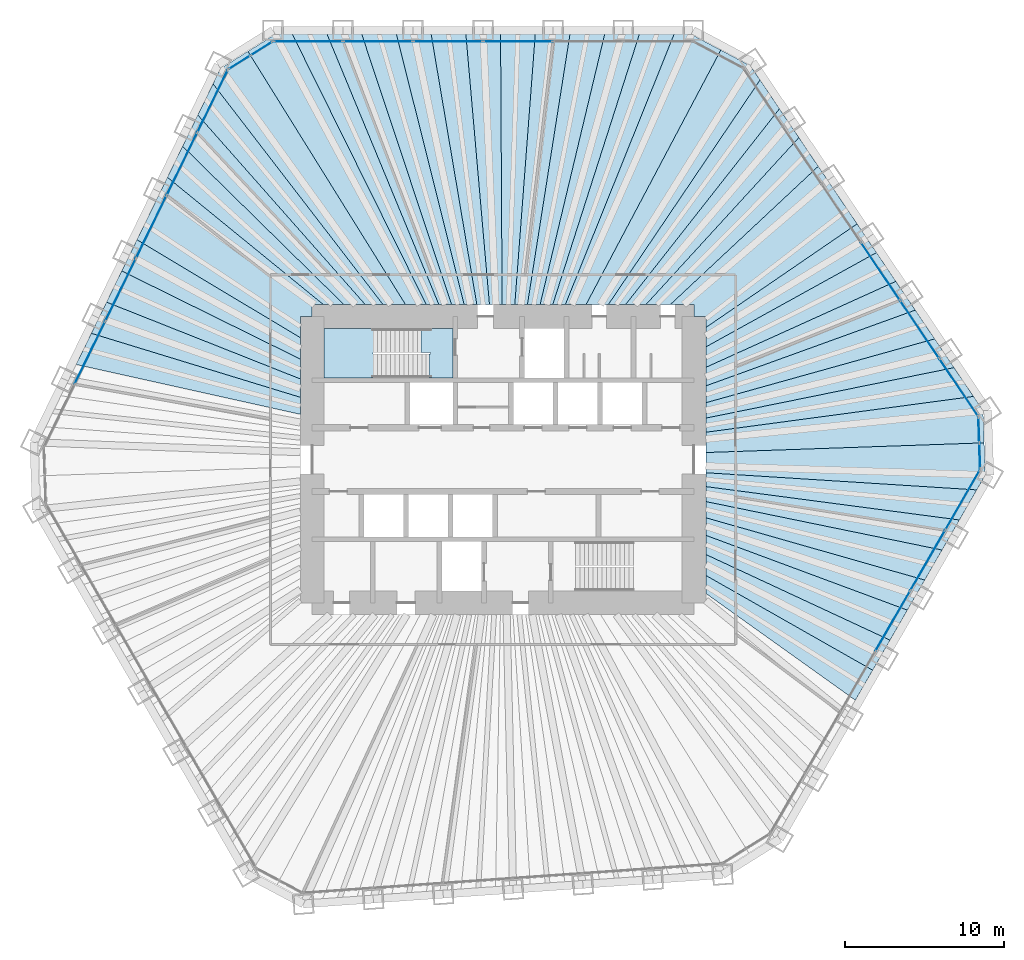
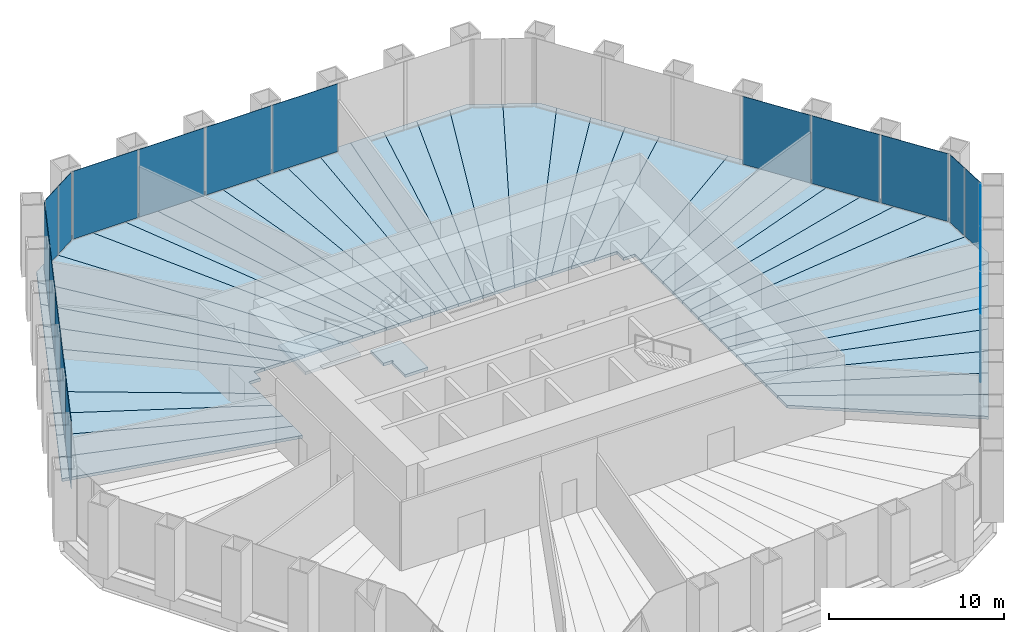
# One storey, part 9 of 13: 44 slabs, 19 plates, 7 elements without a shape of their own.
"""IFC4 building model written with IfcOpenShell, lengths in metres."""

from ifc_helpers import new_model, si_unit, direction, frame, origin, origin_2d, place, context, subcontext, project, spatial, polyline, rectangle, outline, extrude, material, layer, layer_set, type_object, element, aggregate, save


model = new_model("IFC4")

# Units and contexts
model_context = context("Model", 3, precision=1e-05, world=origin(), true_north=direction((0.0, 1.0)))
body_context = subcontext(model_context, "Body", "Model", "MODEL_VIEW")
ifc_project = project(units=[si_unit("LENGTHUNIT", "METRE"), si_unit("AREAUNIT", "SQUARE_METRE"), si_unit("VOLUMEUNIT", "CUBIC_METRE"), si_unit("PLANEANGLEUNIT", "RADIAN"), si_unit("MASSUNIT", "GRAM", prefix="KILO")], contexts=[model_context])

# Site, building, storey
site_placement = place(None, origin())
site = spatial("IfcSite", under=ifc_project, at=site_placement, CompositionType="ELEMENT")
building_placement = place(site_placement, origin())
building = spatial("IfcBuilding", under=site, at=building_placement, Name="Qingtian Harvest Tower", CompositionType="ELEMENT")
storey_placement = place(building_placement, frame((0.0, 0.0, 37.0)))
storey = spatial("IfcBuildingStorey", under=building, at=storey_placement, Name="L07", CompositionType="ELEMENT", Elevation=37.0)

# Slabs
ifc_material_1 = material(Name="Concrete fc' 35 MPa", Category="concrete")
ifc_layer_1 = layer(ifc_material_1, 0.199951171875)
ifc_layer_set_1 = layer_set([ifc_layer_1], Name="Composite floor slab FS20 200")
slab_type_1 = type_object("IfcSlabType", Name="Composite floor slab FS20 200", PredefinedType="FLOOR", material=ifc_layer_set_1)
slab_1_placement = place(storey_placement, frame((0.0, 0.0, -0.199951171875)))
element("IfcSlab", 1, at=slab_1_placement, inside=storey, type_object=slab_type_1, Name="Floor slab L07 panel D32", PredefinedType="FLOOR", context=body_context, shape_type="SweptSolid", body=[
    extrude(outline(polyline([(12.75, -7.279052734375), (23.247802734375, -13.243408203125), (22.159423828125, -15.128662109375), (12.75, -8.4091796875), (12.75, -7.279052734375)])), origin(), (0.0, 0.0, 1.0), 0.199951171875),
])
slab_2_placement = place(storey_placement, frame((0.0, 0.0, -0.199951171875)))
element("IfcSlab", 2, at=slab_2_placement, inside=storey, type_object=slab_type_1, Name="Floor slab L07 panel D33", PredefinedType="FLOOR", context=body_context, shape_type="SweptSolid", body=[
    extrude(outline(polyline([(12.75, -5.96142578125), (24.339111328125, -11.353515625), (23.247802734375, -13.243408203125), (12.75, -7.279052734375), (12.75, -5.96142578125)])), origin(), (0.0, 0.0, 1.0), 0.199951171875),
])
slab_3_placement = place(storey_placement, frame((0.0, 0.0, -0.199951171875)))
element("IfcSlab", 3, at=slab_3_placement, inside=storey, type_object=slab_type_1, Name="Floor slab L07 panel D34", PredefinedType="FLOOR", context=body_context, shape_type="SweptSolid", body=[
    extrude(outline(polyline([(12.75, -4.757080078125), (25.43017578125, -9.46337890625), (24.339111328125, -11.353515625), (12.75, -5.96142578125), (12.75, -4.757080078125)])), origin(), (0.0, 0.0, 1.0), 0.199951171875),
])
slab_4_placement = place(storey_placement, frame((0.0, 0.0, -0.199951171875)))
element("IfcSlab", 4, at=slab_4_placement, inside=storey, type_object=slab_type_1, Name="Floor slab L07 panel D35", PredefinedType="FLOOR", context=body_context, shape_type="SweptSolid", body=[
    extrude(outline(polyline([(12.75, -3.651611328125), (26.521484375, -7.573486328125), (25.43017578125, -9.46337890625), (12.75, -4.757080078125), (12.75, -3.651611328125)])), origin(), (0.0, 0.0, 1.0), 0.199951171875),
])
slab_5_placement = place(storey_placement, frame((0.0, 0.0, -0.199951171875)))
element("IfcSlab", 5, at=slab_5_placement, inside=storey, type_object=slab_type_1, Name="Floor slab L07 panel D36", PredefinedType="FLOOR", context=body_context, shape_type="SweptSolid", body=[
    extrude(outline(polyline([(12.75, -2.634033203125), (27.612548828125, -5.68359375), (26.521484375, -7.573486328125), (12.75, -3.651611328125), (12.75, -2.634033203125)])), origin(), (0.0, 0.0, 1.0), 0.199951171875),
])
slab_6_placement = place(storey_placement, frame((0.0, 0.0, -0.199951171875)))
element("IfcSlab", 6, at=slab_6_placement, inside=storey, type_object=slab_type_1, Name="Floor slab L07 panel D37", PredefinedType="FLOOR", context=body_context, shape_type="SweptSolid", body=[
    extrude(outline(polyline([(12.75, -1.693603515625), (28.703857421875, -3.793701171875), (27.612548828125, -5.68359375), (12.75, -2.634033203125), (12.75, -1.693603515625)])), origin(), (0.0, 0.0, 1.0), 0.199951171875),
])
slab_7_placement = place(storey_placement, frame((0.0, 0.0, -0.199951171875)))
element("IfcSlab", 7, at=slab_7_placement, inside=storey, type_object=slab_type_1, Name="Floor slab L07 panel D38", PredefinedType="FLOOR", context=body_context, shape_type="SweptSolid", body=[
    extrude(outline(polyline([(12.75, -0.822265625), (29.794921875, -1.903564453125), (28.703857421875, -3.793701171875), (12.75, -1.693603515625), (12.75, -0.822265625)])), origin(), (0.0, 0.0, 1.0), 0.199951171875),
])
slab_8_placement = place(storey_placement, frame((0.0, 0.0, -0.199951171875)))
element("IfcSlab", 8, at=slab_8_placement, inside=storey, type_object=slab_type_1, Name="Floor slab L07 panel D39", PredefinedType="FLOOR", context=body_context, shape_type="SweptSolid", body=[
    extrude(outline(polyline([(12.75, -0.822265625), (12.75, 0.447265625), (30.2587890625, 1.056640625), (30.32958984375, -0.9775390625), (29.794921875, -1.903564453125), (12.75, -0.822265625)])), origin(), (0.0, 0.0, 1.0), 0.199951171875),
])
slab_9_placement = place(storey_placement, frame((0.0, 0.0, -0.199951171875)))
element("IfcSlab", 9, at=slab_9_placement, inside=storey, type_object=slab_type_1, Name="Floor slab L07 panel D40", PredefinedType="FLOOR", context=body_context, shape_type="SweptSolid", body=[
    extrude(outline(polyline([(12.75, 0.447265625), (12.75, 1.72265625), (29.589599609375, 3.977294921875), (30.187744140625, 3.0908203125), (30.2587890625, 1.056640625), (12.75, 0.447265625)])), origin(), (0.0, 0.0, 1.0), 0.199951171875),
])
slab_10_placement = place(storey_placement, frame((0.0, 0.0, -0.199951171875)))
element("IfcSlab", 10, at=slab_10_placement, inside=storey, type_object=slab_type_1, Name="Floor slab L07 panel D41", PredefinedType="FLOOR", context=body_context, shape_type="SweptSolid", body=[
    extrude(outline(polyline([(12.75, 2.610595703125), (28.369140625, 5.78662109375), (29.589599609375, 3.977294921875), (12.75, 1.72265625), (12.75, 2.610595703125)])), origin(), (0.0, 0.0, 1.0), 0.199951171875),
])
slab_11_placement = place(storey_placement, frame((0.0, 0.0, -0.199951171875)))
element("IfcSlab", 11, at=slab_11_placement, inside=storey, type_object=slab_type_1, Name="Floor slab L07 panel D42", PredefinedType="FLOOR", context=body_context, shape_type="SweptSolid", body=[
    extrude(outline(polyline([(12.75, 3.57861328125), (27.14892578125, 7.595947265625), (28.369140625, 5.78662109375), (12.75, 2.610595703125), (12.75, 3.57861328125)])), origin(), (0.0, 0.0, 1.0), 0.199951171875),
])
slab_12_placement = place(storey_placement, frame((0.0, 0.0, -0.199951171875)))
element("IfcSlab", 12, at=slab_12_placement, inside=storey, type_object=slab_type_1, Name="Floor slab L07 panel D43", PredefinedType="FLOOR", context=body_context, shape_type="SweptSolid", body=[
    extrude(outline(polyline([(12.75, 4.6376953125), (25.928466796875, 9.405029296875), (27.14892578125, 7.595947265625), (12.75, 3.57861328125), (12.75, 4.6376953125)])), origin(), (0.0, 0.0, 1.0), 0.199951171875),
])
slab_13_placement = place(storey_placement, frame((0.0, 0.0, -0.199951171875)))
element("IfcSlab", 13, at=slab_13_placement, inside=storey, type_object=slab_type_1, Name="Floor slab L07 panel D44", PredefinedType="FLOOR", context=body_context, shape_type="SweptSolid", body=[
    extrude(outline(polyline([(12.75, 5.8017578125), (24.708251953125, 11.21435546875), (25.928466796875, 9.405029296875), (12.75, 4.6376953125), (12.75, 5.8017578125)])), origin(), (0.0, 0.0, 1.0), 0.199951171875),
])
slab_14_placement = place(storey_placement, frame((0.0, 0.0, -0.199951171875)))
element("IfcSlab", 14, at=slab_14_placement, inside=storey, type_object=slab_type_1, Name="Floor slab L07 panel D45", PredefinedType="FLOOR", context=body_context, shape_type="SweptSolid", body=[
    extrude(outline(polyline([(12.75, 7.087158203125), (23.48779296875, 13.023681640625), (24.708251953125, 11.21435546875), (12.75, 5.8017578125), (12.75, 7.087158203125)])), origin(), (0.0, 0.0, 1.0), 0.199951171875),
])
slab_15_placement = place(storey_placement, frame((0.0, 0.0, -0.199951171875)))
element("IfcSlab", 15, at=slab_15_placement, inside=storey, type_object=slab_type_1, Name="Floor slab L07 panel D46", PredefinedType="FLOOR", context=body_context, shape_type="SweptSolid", body=[
    extrude(outline(polyline([(12.75, 8.30615234375), (22.26953125, 14.829833984375), (23.48779296875, 13.023681640625), (12.75, 7.087158203125), (12.75, 8.30615234375)])), origin(), (0.0, 0.0, 1.0), 0.199951171875),
])
slab_16_placement = place(storey_placement, frame((0.0, 0.0, -0.199951171875)))
element("IfcSlab", 16, at=slab_16_placement, inside=storey, type_object=slab_type_1, Name="Floor slab L07 panel D48", PredefinedType="FLOOR", context=body_context, shape_type="SweptSolid", body=[
    extrude(outline(polyline([(19.8271484375, 18.45068359375), (22.26953125, 14.829833984375), (12.75, 8.30615234375), (12.75, 9.0), (12.0, 9.0), (12.0, 9.75), (10.51806640625, 9.75), (19.8271484375, 18.45068359375)])), origin(), (0.0, 0.0, 1.0), 0.199951171875),
])
slab_17_placement = place(storey_placement, frame((0.0, 0.0, -0.199951171875)))
element("IfcSlab", 17, at=slab_17_placement, inside=storey, type_object=slab_type_1, Name="Floor slab L07 panel D49", PredefinedType="FLOOR", context=body_context, shape_type="SweptSolid", body=[
    extrude(outline(polyline([(8.985107421875, 9.75), (18.60693359375, 20.260009765625), (19.8271484375, 18.45068359375), (10.51806640625, 9.75), (8.985107421875, 9.75)])), origin(), (0.0, 0.0, 1.0), 0.199951171875),
])
slab_18_placement = place(storey_placement, frame((0.0, 0.0, -0.199951171875)))
element("IfcSlab", 18, at=slab_18_placement, inside=storey, type_object=slab_type_1, Name="Floor slab L07 panel D50", PredefinedType="FLOOR", context=body_context, shape_type="SweptSolid", body=[
    extrude(outline(polyline([(7.705078125, 9.75), (17.386474609375, 22.0693359375), (18.60693359375, 20.260009765625), (8.985107421875, 9.75), (7.705078125, 9.75)])), origin(), (0.0, 0.0, 1.0), 0.199951171875),
])
slab_19_placement = place(storey_placement, frame((0.0, 0.0, -0.199951171875)))
element("IfcSlab", 19, at=slab_19_placement, inside=storey, type_object=slab_type_1, Name="Floor slab L07 panel D51", PredefinedType="FLOOR", context=body_context, shape_type="SweptSolid", body=[
    extrude(outline(polyline([(6.61962890625, 9.75), (16.166015625, 23.87841796875), (17.386474609375, 22.0693359375), (7.705078125, 9.75), (6.61962890625, 9.75)])), origin(), (0.0, 0.0, 1.0), 0.199951171875),
])
slab_20_placement = place(storey_placement, frame((0.0, 0.0, -0.199951171875)))
element("IfcSlab", 20, at=slab_20_placement, inside=storey, type_object=slab_type_1, Name="Floor slab L07 panel D52", PredefinedType="FLOOR", context=body_context, shape_type="SweptSolid", body=[
    extrude(outline(polyline([(6.61962890625, 9.75), (5.21875, 9.75), (13.697265625, 25.760009765625), (15.56787109375, 24.765380859375), (16.166015625, 23.87841796875), (6.61962890625, 9.75)])), origin(), (0.0, 0.0, 1.0), 0.199951171875),
])
slab_21_placement = place(storey_placement, frame((0.0, 0.0, -0.199951171875)))
element("IfcSlab", 21, at=slab_21_placement, inside=storey, type_object=slab_type_1, Name="Floor slab L07 panel D53", PredefinedType="FLOOR", context=body_context, shape_type="SweptSolid", body=[
    extrude(outline(polyline([(3.919921875, 9.75), (10.756591796875, 26.7548828125), (11.825927734375, 26.7548828125), (13.697265625, 25.760009765625), (5.21875, 9.75), (3.919921875, 9.75)])), origin(), (0.0, 0.0, 1.0), 0.199951171875),
])
slab_22_placement = place(storey_placement, frame((0.0, 0.0, -0.199951171875)))
element("IfcSlab", 22, at=slab_22_placement, inside=storey, type_object=slab_type_1, Name="Floor slab L07 panel D54", PredefinedType="FLOOR", context=body_context, shape_type="SweptSolid", body=[
    extrude(outline(polyline([(3.12451171875, 9.75), (8.57421875, 26.7548828125), (10.756591796875, 26.7548828125), (3.919921875, 9.75), (3.12451171875, 9.75)])), origin(), (0.0, 0.0, 1.0), 0.199951171875),
])
slab_23_placement = place(storey_placement, frame((0.0, 0.0, -0.199951171875)))
element("IfcSlab", 23, at=slab_23_placement, inside=storey, type_object=slab_type_1, Name="Floor slab L07 panel D55", PredefinedType="FLOOR", context=body_context, shape_type="SweptSolid", body=[
    extrude(outline(polyline([(2.329345703125, 9.75), (6.391845703125, 26.7548828125), (8.57421875, 26.7548828125), (3.12451171875, 9.75), (2.329345703125, 9.75)])), origin(), (0.0, 0.0, 1.0), 0.199951171875),
])
slab_24_placement = place(storey_placement, frame((0.0, 0.0, -0.199951171875)))
element("IfcSlab", 24, at=slab_24_placement, inside=storey, type_object=slab_type_1, Name="Floor slab L07 panel D56", PredefinedType="FLOOR", context=body_context, shape_type="SweptSolid", body=[
    extrude(outline(polyline([(1.533935546875, 9.75), (4.20947265625, 26.7548828125), (6.391845703125, 26.7548828125), (2.329345703125, 9.75), (1.533935546875, 9.75)])), origin(), (0.0, 0.0, 1.0), 0.199951171875),
])
slab_25_placement = place(storey_placement, frame((0.0, 0.0, -0.199951171875)))
element("IfcSlab", 25, at=slab_25_placement, inside=storey, type_object=slab_type_1, Name="Floor slab L07 panel D57", PredefinedType="FLOOR", context=body_context, shape_type="SweptSolid", body=[
    extrude(outline(polyline([(0.73876953125, 9.75), (2.02734375, 26.7548828125), (4.20947265625, 26.7548828125), (1.533935546875, 9.75), (0.73876953125, 9.75)])), origin(), (0.0, 0.0, 1.0), 0.199951171875),
])
slab_26_placement = place(storey_placement, frame((0.0, 0.0, -0.199951171875)))
element("IfcSlab", 26, at=slab_26_placement, inside=storey, type_object=slab_type_1, Name="Floor slab L07 panel D58", PredefinedType="FLOOR", context=body_context, shape_type="SweptSolid", body=[
    extrude(outline(polyline([(-0.056396484375, 9.75), (-0.155029296875, 26.7548828125), (2.02734375, 26.7548828125), (0.73876953125, 9.75), (-0.056396484375, 9.75)])), origin(), (0.0, 0.0, 1.0), 0.199951171875),
])
slab_27_placement = place(storey_placement, frame((0.0, 0.0, -0.199951171875)))
element("IfcSlab", 27, at=slab_27_placement, inside=storey, type_object=slab_type_1, Name="Floor slab L07 panel D59", PredefinedType="FLOOR", context=body_context, shape_type="SweptSolid", body=[
    extrude(outline(polyline([(-0.851806640625, 9.75), (-2.33740234375, 26.7548828125), (-0.155029296875, 26.7548828125), (-0.056396484375, 9.75), (-0.851806640625, 9.75)])), origin(), (0.0, 0.0, 1.0), 0.199951171875),
])
slab_28_placement = place(storey_placement, frame((0.0, 0.0, -0.199951171875)))
element("IfcSlab", 28, at=slab_28_placement, inside=storey, type_object=slab_type_1, Name="Floor slab L07 panel D60", PredefinedType="FLOOR", context=body_context, shape_type="SweptSolid", body=[
    extrude(outline(polyline([(-1.64697265625, 9.75), (-4.519775390625, 26.7548828125), (-2.33740234375, 26.7548828125), (-0.851806640625, 9.75), (-1.64697265625, 9.75)])), origin(), (0.0, 0.0, 1.0), 0.199951171875),
])
slab_29_placement = place(storey_placement, frame((0.0, 0.0, -0.199951171875)))
element("IfcSlab", 29, at=slab_29_placement, inside=storey, type_object=slab_type_1, Name="Floor slab L07 panel D61", PredefinedType="FLOOR", context=body_context, shape_type="SweptSolid", body=[
    extrude(outline(polyline([(-2.4423828125, 9.75), (-6.7021484375, 26.7548828125), (-4.519775390625, 26.7548828125), (-1.64697265625, 9.75), (-2.4423828125, 9.75)])), origin(), (0.0, 0.0, 1.0), 0.199951171875),
])
slab_30_placement = place(storey_placement, frame((0.0, 0.0, -0.199951171875)))
element("IfcSlab", 30, at=slab_30_placement, inside=storey, type_object=slab_type_1, Name="Floor slab L07 panel D62", PredefinedType="FLOOR", context=body_context, shape_type="SweptSolid", body=[
    extrude(outline(polyline([(-3.237548828125, 9.75), (-8.88427734375, 26.7548828125), (-6.7021484375, 26.7548828125), (-2.4423828125, 9.75), (-3.237548828125, 9.75)])), origin(), (0.0, 0.0, 1.0), 0.199951171875),
])
slab_31_placement = place(storey_placement, frame((0.0, 0.0, -0.199951171875)))
element("IfcSlab", 31, at=slab_31_placement, inside=storey, type_object=slab_type_1, Name="Floor slab L07 panel D63", PredefinedType="FLOOR", context=body_context, shape_type="SweptSolid", body=[
    extrude(outline(polyline([(-4.032958984375, 9.75), (-11.066650390625, 26.7548828125), (-8.88427734375, 26.7548828125), (-3.237548828125, 9.75), (-4.032958984375, 9.75)])), origin(), (0.0, 0.0, 1.0), 0.199951171875),
])
slab_32_placement = place(storey_placement, frame((0.0, 0.0, -0.199951171875)))
element("IfcSlab", 32, at=slab_32_placement, inside=storey, type_object=slab_type_1, Name="Floor slab L07 panel D64", PredefinedType="FLOOR", context=body_context, shape_type="SweptSolid", body=[
    extrude(outline(polyline([(-4.828125, 9.75), (-13.2490234375, 26.7548828125), (-11.066650390625, 26.7548828125), (-4.032958984375, 9.75), (-4.828125, 9.75)])), origin(), (0.0, 0.0, 1.0), 0.199951171875),
])
slab_33_placement = place(storey_placement, frame((0.0, 0.0, -0.199951171875)))
element("IfcSlab", 33, at=slab_33_placement, inside=storey, type_object=slab_type_1, Name="Floor slab L07 panel D65", PredefinedType="FLOOR", context=body_context, shape_type="SweptSolid", body=[
    extrude(outline(polyline([(-4.828125, 9.75), (-6.130126953125, 9.75), (-16.044921875, 25.67626953125), (-14.318359375, 26.7548828125), (-13.2490234375, 26.7548828125), (-4.828125, 9.75)])), origin(), (0.0, 0.0, 1.0), 0.199951171875),
])
slab_34_placement = place(storey_placement, frame((0.0, 0.0, -0.199951171875)))
element("IfcSlab", 34, at=slab_34_placement, inside=storey, type_object=slab_type_1, Name="Floor slab L07 panel D66", PredefinedType="FLOOR", context=body_context, shape_type="SweptSolid", body=[
    extrude(outline(polyline([(-6.130126953125, 9.75), (-7.544677734375, 9.75), (-18.239501953125, 23.636474609375), (-17.7705078125, 24.597900390625), (-16.044921875, 25.67626953125), (-6.130126953125, 9.75)])), origin(), (0.0, 0.0, 1.0), 0.199951171875),
])
slab_35_placement = place(storey_placement, frame((0.0, 0.0, -0.199951171875)))
element("IfcSlab", 35, at=slab_35_placement, inside=storey, type_object=slab_type_1, Name="Floor slab L07 panel D67", PredefinedType="FLOOR", context=body_context, shape_type="SweptSolid", body=[
    extrude(outline(polyline([(-8.662109375, 9.75), (-19.196044921875, 21.675048828125), (-18.239501953125, 23.636474609375), (-7.544677734375, 9.75), (-8.662109375, 9.75)])), origin(), (0.0, 0.0, 1.0), 0.199951171875),
])
slab_36_placement = place(storey_placement, frame((0.0, 0.0, -0.199951171875)))
element("IfcSlab", 36, at=slab_36_placement, inside=storey, type_object=slab_type_1, Name="Floor slab L07 panel D68", PredefinedType="FLOOR", context=body_context, shape_type="SweptSolid", body=[
    extrude(outline(polyline([(-10.00341796875, 9.75), (-20.15283203125, 19.71337890625), (-19.196044921875, 21.675048828125), (-8.662109375, 9.75), (-10.00341796875, 9.75)])), origin(), (0.0, 0.0, 1.0), 0.199951171875),
])
slab_37_placement = place(storey_placement, frame((0.0, 0.0, -0.199951171875)))
element("IfcSlab", 37, at=slab_37_placement, inside=storey, type_object=slab_type_1, Name="Floor slab L07 panel D69", PredefinedType="FLOOR", context=body_context, shape_type="SweptSolid", body=[
    extrude(outline(polyline([(-11.2939453125, 9.75), (-21.107666015625, 17.755859375), (-20.15283203125, 19.71337890625), (-10.00341796875, 9.75), (-11.2939453125, 9.75)])), origin(), (0.0, 0.0, 1.0), 0.199951171875),
])
slab_38_placement = place(storey_placement, frame((0.0, 0.0, -0.199951171875)))
element("IfcSlab", 38, at=slab_38_placement, inside=storey, type_object=slab_type_1, Name="Floor slab L07 panel D70", PredefinedType="FLOOR", context=body_context, shape_type="SweptSolid", body=[
    extrude(outline(polyline([(-12.0, 9.0), (-12.75, 9.0), (-12.75, 7.67333984375), (-23.0224609375, 13.82958984375), (-21.107666015625, 17.755859375), (-11.2939453125, 9.75), (-12.0, 9.75), (-12.0, 9.0)])), origin(), (0.0, 0.0, 1.0), 0.199951171875),
])
slab_39_placement = place(storey_placement, frame((0.0, 0.0, -0.199951171875)))
element("IfcSlab", 39, at=slab_39_placement, inside=storey, type_object=slab_type_1, Name="Floor slab L07 panel D72", PredefinedType="FLOOR", context=body_context, shape_type="SweptSolid", body=[
    extrude(outline(polyline([(-12.75, 6.3232421875), (-23.979248046875, 11.8681640625), (-23.0224609375, 13.82958984375), (-12.75, 7.67333984375), (-12.75, 6.3232421875)])), origin(), (0.0, 0.0, 1.0), 0.199951171875),
])
slab_40_placement = place(storey_placement, frame((0.0, 0.0, -0.199951171875)))
element("IfcSlab", 40, at=slab_40_placement, inside=storey, type_object=slab_type_1, Name="Floor slab L07 panel D73", PredefinedType="FLOOR", context=body_context, shape_type="SweptSolid", body=[
    extrude(outline(polyline([(-12.75, 5.076904296875), (-24.935791015625, 9.90673828125), (-23.979248046875, 11.8681640625), (-12.75, 6.3232421875), (-12.75, 5.076904296875)])), origin(), (0.0, 0.0, 1.0), 0.199951171875),
])
slab_41_placement = place(storey_placement, frame((0.0, 0.0, -0.199951171875)))
element("IfcSlab", 41, at=slab_41_placement, inside=storey, type_object=slab_type_1, Name="Floor slab L07 panel D74", PredefinedType="FLOOR", context=body_context, shape_type="SweptSolid", body=[
    extrude(outline(polyline([(-12.75, 3.922607421875), (-25.892578125, 7.9453125), (-24.935791015625, 9.90673828125), (-12.75, 5.076904296875), (-12.75, 3.922607421875)])), origin(), (0.0, 0.0, 1.0), 0.199951171875),
])
slab_42_placement = place(storey_placement, frame((0.0, 0.0, -0.199951171875)))
element("IfcSlab", 42, at=slab_42_placement, inside=storey, type_object=slab_type_1, Name="Floor slab L07 panel D75", PredefinedType="FLOOR", context=body_context, shape_type="SweptSolid", body=[
    extrude(outline(polyline([(-12.75, 2.8505859375), (-26.84912109375, 5.98388671875), (-25.892578125, 7.9453125), (-12.75, 3.922607421875), (-12.75, 2.8505859375)])), origin(), (0.0, 0.0, 1.0), 0.199951171875),
])

# Curtain wall, plates
ifc_material_2 = material(Name="Bronze-anodised aluminium curtain wall", Category="aluminium")
curtain_wall_type = type_object("IfcCurtainWallType", Name="Curtain wall CW2 farm reception", PredefinedType="USERDEFINED", material=ifc_material_2)
curtain_wall_1_placement = place(storey_placement, origin())
curtain_wall_1 = element("IfcCurtainWall", 43, at=curtain_wall_1_placement, inside=storey, type_object=curtain_wall_type, Name="Curtain wall CW2 L07 N0-5", ObjectType="RECESSED CURTAIN WALL", PredefinedType="USERDEFINED")
ifc_material_3 = material(Name="Bronze-tinted laminated insulating glass", Category="glass")
ifc_layer_2 = layer(ifc_material_3, 0.030029296875)
ifc_layer_set_2 = layer_set([ifc_layer_2], Name="Glazed panel CWP tinted IGU")
plate_type = type_object("IfcPlateType", Name="Glazed panel CWP tinted IGU", PredefinedType="CURTAIN_PANEL", material=ifc_layer_set_2)
plate_1_placement = place(storey_placement, frame((-12.2529296875, 26.300048828125, 0.06494140625), z_axis=(0.0, 0.0, 1.0), x_axis=(1.0, 0.0, 0.0)))
plate_1 = element("IfcPlate", 44, at=plate_1_placement, type_object=plate_type, Name="CW2 panel 1.1", PredefinedType="CURTAIN_PANEL", context=body_context, shape_type="SweptSolid", body=[
    extrude(rectangle(XDim=4.30712890625, YDim=0.030029296875, at=origin_2d()), origin(), (0.0, 0.0, 1.0), 4.735107421875),
])
plate_2_placement = place(storey_placement, frame((-7.864501953125, 26.300048828125, 0.06494140625), z_axis=(0.0, 0.0, 1.0), x_axis=(1.0, 0.0, 0.0)))
plate_2 = element("IfcPlate", 45, at=plate_2_placement, type_object=plate_type, Name="CW2 panel 2.1", PredefinedType="CURTAIN_PANEL", context=body_context, shape_type="SweptSolid", body=[
    extrude(rectangle(XDim=4.339599609375, YDim=0.030029296875, at=origin_2d()), origin(), (0.0, 0.0, 1.0), 4.735107421875),
])
plate_3_placement = place(storey_placement, frame((-3.4599609375, 26.300048828125, 0.06494140625), z_axis=(0.0, 0.0, 1.0), x_axis=(1.0, 0.0, 0.0)))
plate_3 = element("IfcPlate", 46, at=plate_3_placement, type_object=plate_type, Name="CW2 panel 3.1", PredefinedType="CURTAIN_PANEL", context=body_context, shape_type="SweptSolid", body=[
    extrude(rectangle(XDim=4.339599609375, YDim=0.030029296875, at=origin_2d()), origin(), (0.0, 0.0, 1.0), 4.735107421875),
])
plate_4_placement = place(storey_placement, frame((0.944580078125, 26.300048828125, 0.06494140625), z_axis=(0.0, 0.0, 1.0), x_axis=(1.0, 0.0, 0.0)))
plate_4 = element("IfcPlate", 47, at=plate_4_placement, type_object=plate_type, Name="CW2 panel 4.1", PredefinedType="CURTAIN_PANEL", context=body_context, shape_type="SweptSolid", body=[
    extrude(rectangle(XDim=4.339599609375, YDim=0.030029296875, at=origin_2d()), origin(), (0.0, 0.0, 1.0), 4.735107421875),
])
aggregate(curtain_wall_1, [plate_1, plate_2, plate_3, plate_4])

curtain_wall_2_placement = place(storey_placement, origin())
curtain_wall_2 = element("IfcCurtainWall", 48, at=curtain_wall_2_placement, inside=storey, type_object=curtain_wall_type, Name="Curtain wall CW2 L07 NE0-5", ObjectType="RECESSED CURTAIN WALL", PredefinedType="USERDEFINED")
plate_5_placement = place(storey_placement, frame((23.738525390625, 11.83837890625, 0.06494140625), z_axis=(0.0, 0.0, 1.0), x_axis=(0.559192903471, -0.829037572555, 0.0)))
plate_5 = element("IfcPlate", 49, at=plate_5_placement, type_object=plate_type, Name="CW2 panel 4.1", PredefinedType="CURTAIN_PANEL", context=body_context, shape_type="SweptSolid", body=[
    extrude(rectangle(XDim=4.339599609375, YDim=0.030029296875, at=origin_2d()), origin(), (0.0, 0.0, 1.0), 4.735107421875),
])
plate_6_placement = place(storey_placement, frame((26.201416015625, 8.186767578125, 0.06494140625), z_axis=(0.0, 0.0, 1.0), x_axis=(0.559192903471, -0.829037572555, 0.0)))
plate_6 = element("IfcPlate", 50, at=plate_6_placement, type_object=plate_type, Name="CW2 panel 5.1", PredefinedType="CURTAIN_PANEL", context=body_context, shape_type="SweptSolid", body=[
    extrude(rectangle(XDim=4.339599609375, YDim=0.030029296875, at=origin_2d()), origin(), (0.0, 0.0, 1.0), 4.735107421875),
])
plate_7_placement = place(storey_placement, frame((28.655517578125, 4.548583984375, 0.06494140625), z_axis=(0.0, 0.0, 1.0), x_axis=(0.559192903471, -0.829037572555, 0.0)))
plate_7 = element("IfcPlate", 51, at=plate_7_placement, type_object=plate_type, Name="CW2 panel 6.1", PredefinedType="CURTAIN_PANEL", context=body_context, shape_type="SweptSolid", body=[
    extrude(rectangle(XDim=4.30712890625, YDim=0.030029296875, at=origin_2d()), origin(), (0.0, 0.0, 1.0), 4.735107421875),
])
aggregate(curtain_wall_2, [plate_5, plate_6, plate_7])

curtain_wall_3_placement = place(storey_placement, origin())
curtain_wall_3 = element("IfcCurtainWall", 52, at=curtain_wall_3_placement, inside=storey, type_object=curtain_wall_type, Name="Curtain wall CW2 L07 NEC", ObjectType="RECESSED CURTAIN WALL", PredefinedType="USERDEFINED")
plate_8_placement = place(storey_placement, frame((29.925537109375, 1.861572265625, 0.06494140625), z_axis=(0.0, 0.0, 1.0), x_axis=(0.034899496703, -0.999390827019, 0.0)))
plate_8 = element("IfcPlate", 53, at=plate_8_placement, type_object=plate_type, Name="CW2 panel 1.1", PredefinedType="CURTAIN_PANEL", context=body_context, shape_type="SweptSolid", body=[
    extrude(rectangle(XDim=1.56689453125, YDim=0.030029296875, at=origin_2d()), origin(), (0.0, 0.0, 1.0), 4.735107421875),
])
plate_9_placement = place(storey_placement, frame((29.982666015625, 0.23046875, 0.06494140625), z_axis=(0.0, 0.0, 1.0), x_axis=(0.034899496703, -0.999390827019, 0.0)))
plate_9 = element("IfcPlate", 54, at=plate_9_placement, type_object=plate_type, Name="CW2 panel 2.1", PredefinedType="CURTAIN_PANEL", context=body_context, shape_type="SweptSolid", body=[
    extrude(rectangle(XDim=1.56689453125, YDim=0.030029296875, at=origin_2d()), origin(), (0.0, 0.0, 1.0), 4.735107421875),
])
aggregate(curtain_wall_3, [plate_8, plate_9])

curtain_wall_4_placement = place(storey_placement, origin())
curtain_wall_4 = element("IfcCurtainWall", 55, at=curtain_wall_4_placement, inside=storey, type_object=curtain_wall_type, Name="Curtain wall CW2 L07 SE0-5", ObjectType="RECESSED CURTAIN WALL", PredefinedType="USERDEFINED")
plate_10_placement = place(storey_placement, frame((28.90283203125, -2.53857421875, 0.06494140625), z_axis=(0.0, 0.0, 1.0), x_axis=(-0.5, -0.866025403784, 0.0)))
plate_10 = element("IfcPlate", 56, at=plate_10_placement, type_object=plate_type, Name="CW2 panel 1.1", PredefinedType="CURTAIN_PANEL", context=body_context, shape_type="SweptSolid", body=[
    extrude(rectangle(XDim=4.30712890625, YDim=0.030029296875, at=origin_2d()), origin(), (0.0, 0.0, 1.0), 4.735107421875),
])
plate_11_placement = place(storey_placement, frame((26.708740234375, -6.339111328125, 0.06494140625), z_axis=(0.0, 0.0, 1.0), x_axis=(-0.5, -0.866025403784, 0.0)))
plate_11 = element("IfcPlate", 57, at=plate_11_placement, type_object=plate_type, Name="CW2 panel 2.1", PredefinedType="CURTAIN_PANEL", context=body_context, shape_type="SweptSolid", body=[
    extrude(rectangle(XDim=4.339599609375, YDim=0.030029296875, at=origin_2d()), origin(), (0.0, 0.0, 1.0), 4.735107421875),
])
plate_12_placement = place(storey_placement, frame((24.50634765625, -10.153564453125, 0.06494140625), z_axis=(0.0, 0.0, 1.0), x_axis=(-0.5, -0.866025403784, 0.0)))
plate_12 = element("IfcPlate", 58, at=plate_12_placement, type_object=plate_type, Name="CW2 panel 3.1", PredefinedType="CURTAIN_PANEL", context=body_context, shape_type="SweptSolid", body=[
    extrude(rectangle(XDim=4.339599609375, YDim=0.030029296875, at=origin_2d()), origin(), (0.0, 0.0, 1.0), 4.735107421875),
])
aggregate(curtain_wall_4, [plate_10, plate_11, plate_12])

curtain_wall_5_placement = place(storey_placement, origin())
curtain_wall_5 = element("IfcCurtainWall", 59, at=curtain_wall_5_placement, inside=storey, type_object=curtain_wall_type, Name="Curtain wall CW2 L07 NW0-5", ObjectType="RECESSED CURTAIN WALL", PredefinedType="USERDEFINED")
plate_13_placement = place(storey_placement, frame((-25.983154296875, 6.72119140625, 0.06494140625), z_axis=(0.0, 0.0, 1.0), x_axis=(0.438371146789, 0.898794046299, 0.0)))
plate_13 = element("IfcPlate", 60, at=plate_13_placement, type_object=plate_type, Name="CW2 panel 2.1", PredefinedType="CURTAIN_PANEL", context=body_context, shape_type="SweptSolid", body=[
    extrude(rectangle(XDim=4.339599609375, YDim=0.030029296875, at=origin_2d()), origin(), (0.0, 0.0, 1.0), 4.735107421875),
])
plate_14_placement = place(storey_placement, frame((-24.052490234375, 10.68017578125, 0.06494140625), z_axis=(0.0, 0.0, 1.0), x_axis=(0.438371146789, 0.898794046299, 0.0)))
plate_14 = element("IfcPlate", 61, at=plate_14_placement, type_object=plate_type, Name="CW2 panel 3.1", PredefinedType="CURTAIN_PANEL", context=body_context, shape_type="SweptSolid", body=[
    extrude(rectangle(XDim=4.339599609375, YDim=0.030029296875, at=origin_2d()), origin(), (0.0, 0.0, 1.0), 4.735107421875),
])
plate_15_placement = place(storey_placement, frame((-22.12158203125, 14.638916015625, 0.06494140625), z_axis=(0.0, 0.0, 1.0), x_axis=(0.438371146789, 0.898794046299, 0.0)))
plate_15 = element("IfcPlate", 62, at=plate_15_placement, type_object=plate_type, Name="CW2 panel 4.1", PredefinedType="CURTAIN_PANEL", context=body_context, shape_type="SweptSolid", body=[
    extrude(rectangle(XDim=4.339599609375, YDim=0.030029296875, at=origin_2d()), origin(), (0.0, 0.0, 1.0), 4.735107421875),
])
plate_16_placement = place(storey_placement, frame((-20.190673828125, 18.597900390625, 0.06494140625), z_axis=(0.0, 0.0, 1.0), x_axis=(0.438371146789, 0.898794046299, 0.0)))
plate_16 = element("IfcPlate", 63, at=plate_16_placement, type_object=plate_type, Name="CW2 panel 5.1", PredefinedType="CURTAIN_PANEL", context=body_context, shape_type="SweptSolid", body=[
    extrude(rectangle(XDim=4.339599609375, YDim=0.030029296875, at=origin_2d()), origin(), (0.0, 0.0, 1.0), 4.735107421875),
])
plate_17_placement = place(storey_placement, frame((-18.266845703125, 22.5419921875, 0.06494140625), z_axis=(0.0, 0.0, 1.0), x_axis=(0.438371146789, 0.898794046299, 0.0)))
plate_17 = element("IfcPlate", 64, at=plate_17_placement, type_object=plate_type, Name="CW2 panel 6.1", PredefinedType="CURTAIN_PANEL", context=body_context, shape_type="SweptSolid", body=[
    extrude(rectangle(XDim=4.30712890625, YDim=0.030029296875, at=origin_2d()), origin(), (0.0, 0.0, 1.0), 4.735107421875),
])
aggregate(curtain_wall_5, [plate_13, plate_14, plate_15, plate_16, plate_17])

curtain_wall_6_placement = place(storey_placement, origin())
curtain_wall_6 = element("IfcCurtainWall", 65, at=curtain_wall_6_placement, inside=storey, type_object=curtain_wall_type, Name="Curtain wall CW2 L07 NWC", ObjectType="RECESSED CURTAIN WALL", PredefinedType="USERDEFINED")
plate_18_placement = place(storey_placement, frame((-16.574951171875, 24.985595703125, 0.06494140625), z_axis=(0.0, 0.0, 1.0), x_axis=(0.848048096156, 0.529919264233, 0.0)))
plate_18 = element("IfcPlate", 66, at=plate_18_placement, type_object=plate_type, Name="CW2 panel 1.1", PredefinedType="CURTAIN_PANEL", context=body_context, shape_type="SweptSolid", body=[
    extrude(rectangle(XDim=1.56689453125, YDim=0.030029296875, at=origin_2d()), origin(), (0.0, 0.0, 1.0), 4.735107421875),
])
plate_19_placement = place(storey_placement, frame((-15.19091796875, 25.850341796875, 0.06494140625), z_axis=(0.0, 0.0, 1.0), x_axis=(0.848048096156, 0.529919264233, 0.0)))
plate_19 = element("IfcPlate", 67, at=plate_19_placement, type_object=plate_type, Name="CW2 panel 2.1", PredefinedType="CURTAIN_PANEL", context=body_context, shape_type="SweptSolid", body=[
    extrude(rectangle(XDim=1.56689453125, YDim=0.030029296875, at=origin_2d()), origin(), (0.0, 0.0, 1.0), 4.735107421875),
])
aggregate(curtain_wall_6, [plate_18, plate_19])

# Stair, slabs
ifc_material_4 = material(Name="Concrete fc' 35 MPa", Category="concrete")
stair_type = type_object("IfcStairType", Name="Special stair ST2 5000", PredefinedType="HALF_TURN_STAIR", material=ifc_material_4)
stair_placement = place(storey_placement, origin())
stair = element("IfcStair", 68, at=stair_placement, inside=storey, type_object=stair_type, Name="Special stair S1 L07", PredefinedType="HALF_TURN_STAIR")
ifc_material_5 = material(Name="Concrete fc' 35 MPa", Category="concrete")
ifc_layer_3 = layer(ifc_material_5, 0.199951171875)
ifc_layer_set_3 = layer_set([ifc_layer_3], Name="Stair landing SL2 200")
slab_type_2 = type_object("IfcSlabType", Name="Stair landing SL2 200", PredefinedType="LANDING", material=ifc_layer_set_3)
slab_43_placement = place(storey_placement, frame((0.0, 0.0, -0.199951171875)))
slab_43 = element("IfcSlab", 69, at=slab_43_placement, type_object=slab_type_2, Name="S1 landing 1", PredefinedType="LANDING", context=body_context, shape_type="SweptSolid", body=[
    extrude(outline(polyline([(-4.64990234375, 5.14990234375), (-4.64990234375, 6.64990234375), (-4.550048828125, 6.64990234375), (-4.550048828125, 6.75), (-5.155029296875, 6.75), (-5.155029296875, 8.25), (-3.14990234375, 8.25), (-3.14990234375, 5.14990234375), (-4.64990234375, 5.14990234375)])), origin(), (0.0, 0.0, 1.0), 0.199951171875),
])
slab_44_placement = place(storey_placement, frame((0.0, 0.0, 2.300048828125)))
slab_44 = element("IfcSlab", 70, at=slab_44_placement, type_object=slab_type_2, Name="S1 landing 2", PredefinedType="LANDING", context=body_context, shape_type="SweptSolid", body=[
    extrude(outline(polyline([(-7.5849609375, 5.14990234375), (-11.25, 5.14990234375), (-11.25, 8.25), (-8.090087890625, 8.25), (-8.090087890625, 6.75), (-8.18994140625, 6.75), (-8.18994140625, 6.64990234375), (-7.5849609375, 6.64990234375), (-7.5849609375, 5.14990234375)])), origin(), (0.0, 0.0, 1.0), 0.199951171875),
])
aggregate(stair, [slab_43, slab_44])

save(model, "model.ifc")
